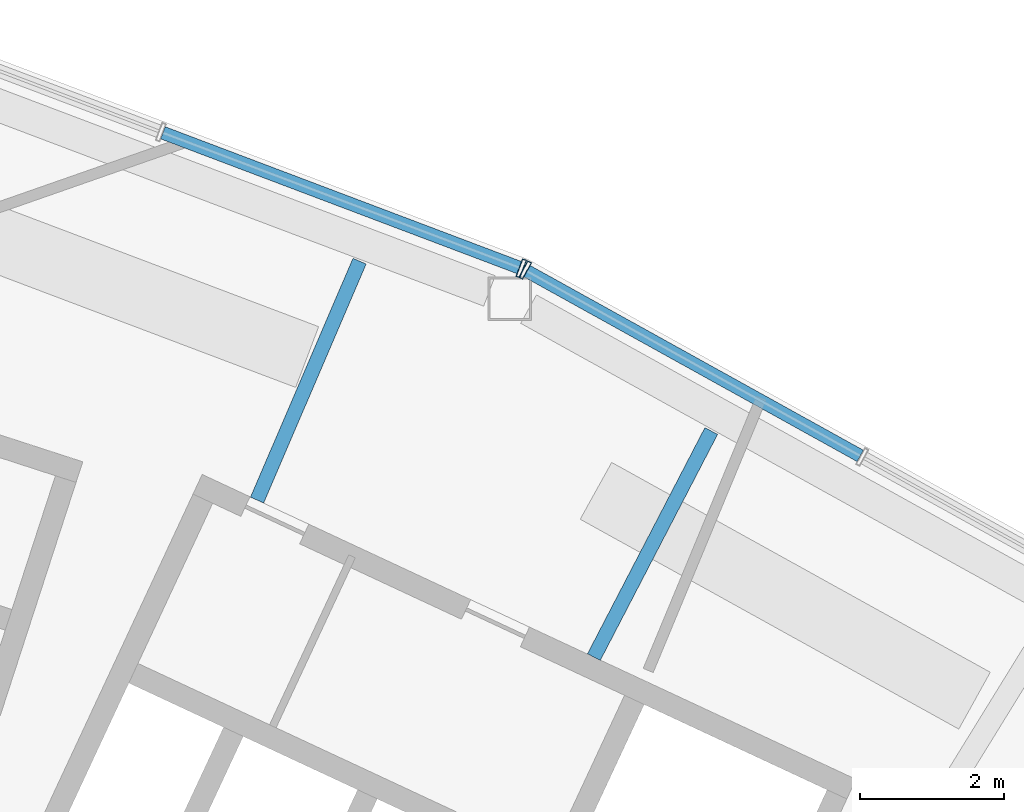
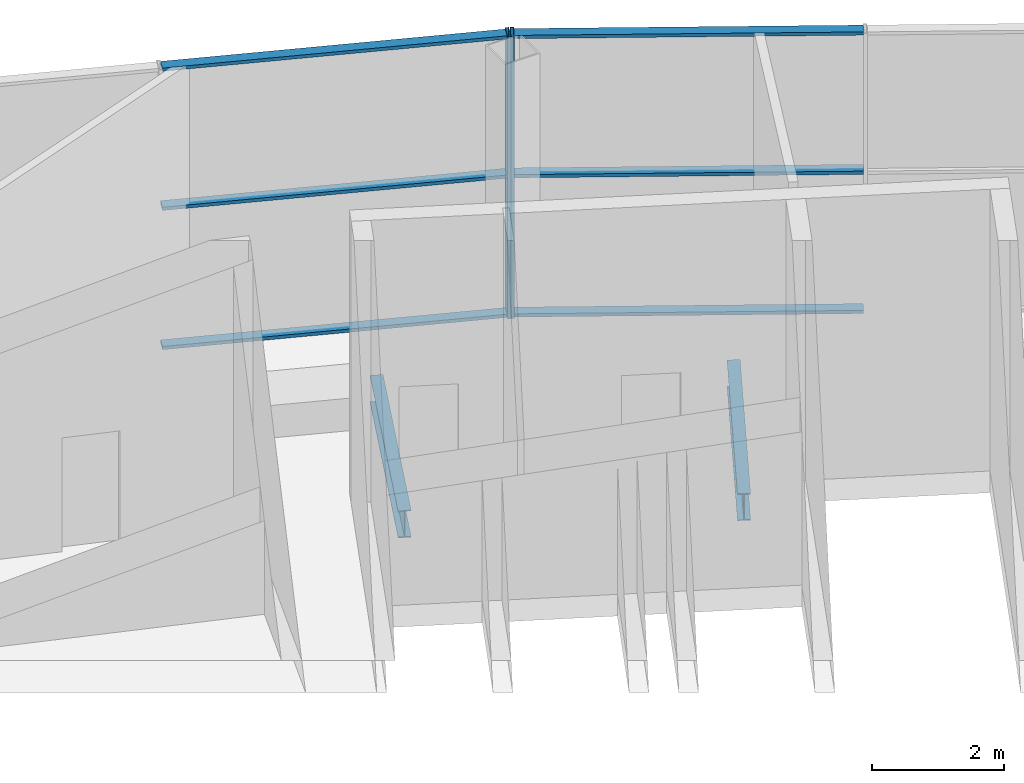
# One storey, part 31 of 44: 8 members, 2 beams, 2 elements without a shape of their own.
"""IFC4 building model written with IfcOpenShell, lengths in metres."""

from ifc_helpers import new_model, si_unit, direction, frame, origin, origin_2d, place, context, subcontext, project, spatial, hollow_rectangle, i_section, extrude, material, layer, layer_set, material_profile, profile_set, type_object, element, aggregate, save


model = new_model("IFC4")

# Units and contexts
model_context = context("Model", 3, precision=1e-05, world=origin(), true_north=direction((0.0, 1.0)))
body_context = subcontext(model_context, "Body", "Model", "MODEL_VIEW")
ifc_project = project(units=[si_unit("LENGTHUNIT", "METRE"), si_unit("AREAUNIT", "SQUARE_METRE"), si_unit("VOLUMEUNIT", "CUBIC_METRE"), si_unit("PLANEANGLEUNIT", "RADIAN"), si_unit("MASSUNIT", "GRAM", prefix="KILO")], contexts=[model_context])

# Site, building, storey
site_placement = place(None, origin())
site = spatial("IfcSite", under=ifc_project, at=site_placement, CompositionType="ELEMENT")
building_placement = place(site_placement, origin())
building = spatial("IfcBuilding", under=site, at=building_placement, Name="Tuul Gate Civic Tower", CompositionType="ELEMENT")
storey_placement = place(building_placement, frame((0.0, 0.0, 354.60009765625)))
storey = spatial("IfcBuildingStorey", under=building, at=storey_placement, Name="Observation level 2", CompositionType="ELEMENT", Elevation=354.60009765625)

# Curtain wall, member
ifc_material_1 = material(Name="Stainless steel", Category="steel")
ifc_layer = layer(ifc_material_1, 0.199951171875)
ifc_layer_set = layer_set([ifc_layer], Name="Stainless steel")
curtain_wall_type = type_object("IfcCurtainWallType", Name="Curtain wall CW4", PredefinedType="NOTDEFINED", material=ifc_layer_set)
curtain_wall_1_placement = place(storey_placement, origin())
curtain_wall_1 = element("IfcCurtainWall", 1, at=curtain_wall_1_placement, inside=storey, type_object=curtain_wall_type, Name="Curtain wall CW4", PredefinedType="NOTDEFINED")
ifc_material_2 = material(Name="Stainless steel", Category="steel")
ifc_material_profile_1 = material_profile(ifc_material_2, hollow_rectangle(XDim=0.260009765625, YDim=0.06005859375, WallThickness=0.006103515625, at=origin_2d()), Name="CW4 mullion")
ifc_profile_set_1 = profile_set([ifc_material_profile_1], Name="Stainless steel")
member_type_1 = type_object("IfcMemberType", Name="CW4 mullion", PredefinedType="MULLION", material=ifc_profile_set_1)
member_1_placement = place(storey_placement, frame((33.47119140625, 7.37646484375, 0.0), z_axis=(0.0, 0.0, 1.0), x_axis=(-0.48478912347, -0.874631068374, 0.0)))
member_1 = element("IfcMember", 2, at=member_1_placement, type_object=member_type_1, Name="Mullion", PredefinedType="MULLION", context=body_context, shape_type="SweptSolid", body=[
    extrude(hollow_rectangle(XDim=0.260009765625, YDim=0.06005859375, WallThickness=0.006103515625, at=origin_2d()), origin(), (0.0, 0.0, 1.0), 5.199951171875),
])

curtain_wall_2_placement = place(storey_placement, origin())
curtain_wall_2 = element("IfcCurtainWall", 3, at=curtain_wall_2_placement, inside=storey, type_object=curtain_wall_type, Name="Curtain wall CW4", PredefinedType="NOTDEFINED")
member_2_placement = place(storey_placement, frame((33.4169921875, 7.401611328125, 0.0), z_axis=(0.0, 0.0, 1.0), x_axis=(-0.35373363489, -0.935346200905, 0.0)))
member_2 = element("IfcMember", 4, at=member_2_placement, type_object=member_type_1, Name="Mullion", PredefinedType="MULLION", context=body_context, shape_type="SweptSolid", body=[
    extrude(hollow_rectangle(XDim=0.260009765625, YDim=0.06005859375, WallThickness=0.006103515625, at=origin_2d()), origin(), (0.0, 0.0, 1.0), 5.199951171875),
])

# Member
ifc_material_3 = material(Name="Stainless steel", Category="steel")
ifc_material_profile_2 = material_profile(ifc_material_3, hollow_rectangle(XDim=0.179931640625, YDim=0.06005859375, WallThickness=0.006103515625, at=origin_2d()), Name="CW4 transom")
ifc_profile_set_2 = profile_set([ifc_material_profile_2], Name="Stainless steel")
member_type_2 = type_object("IfcMemberType", Name="CW4 transom", PredefinedType="USERDEFINED", material=ifc_profile_set_2)
member_3_placement = place(storey_placement, frame((38.11669921875, 4.801513671875, 0.02978515625), z_axis=(-0.874630042006, 0.484790975186, 0.0), x_axis=(-0.484790975186, -0.874630042006, 0.0)))
member_3 = element("IfcMember", 5, at=member_3_placement, type_object=member_type_2, Name="Transom", ObjectType="TRANSOM", PredefinedType="USERDEFINED", context=body_context, shape_type="SweptSolid", body=[
    extrude(hollow_rectangle(XDim=0.179931640625, YDim=0.06005859375, WallThickness=0.006103515625, at=origin_2d()), origin(), (0.0, 0.0, 1.0), 5.28125),
])

member_4_placement = place(storey_placement, frame((38.11669921875, 4.801513671875, 2.599853515625), z_axis=(-0.874630042006, 0.484790975186, 0.0), x_axis=(-0.484790975186, -0.874630042006, 0.0)))
member_4 = element("IfcMember", 6, at=member_4_placement, type_object=member_type_2, Name="Transom", ObjectType="TRANSOM", PredefinedType="USERDEFINED", context=body_context, shape_type="SweptSolid", body=[
    extrude(hollow_rectangle(XDim=0.179931640625, YDim=0.06005859375, WallThickness=0.006103515625, at=origin_2d()), origin(), (0.0, 0.0, 1.0), 5.28125),
])

member_5_placement = place(storey_placement, frame((38.11669921875, 4.801513671875, 5.169921875), z_axis=(-0.874630042006, 0.484790975186, 0.0), x_axis=(-0.484790975186, -0.874630042006, 0.0)))
member_5 = element("IfcMember", 7, at=member_5_placement, type_object=member_type_2, Name="Transom", ObjectType="TRANSOM", PredefinedType="USERDEFINED", context=body_context, shape_type="SweptSolid", body=[
    extrude(hollow_rectangle(XDim=0.179931640625, YDim=0.06005859375, WallThickness=0.006103515625, at=origin_2d()), origin(), (0.0, 0.0, 1.0), 5.28125),
])

aggregate(curtain_wall_1, [member_1, member_3, member_4, member_5])

member_6_placement = place(storey_placement, frame((33.388916015625, 7.412109375, 0.02978515625), z_axis=(-0.93534909907, 0.353725971438, 0.0), x_axis=(-0.353725971438, -0.93534909907, 0.0)))
member_6 = element("IfcMember", 8, at=member_6_placement, type_object=member_type_2, Name="Transom", ObjectType="TRANSOM", PredefinedType="USERDEFINED", context=body_context, shape_type="SweptSolid", body=[
    extrude(hollow_rectangle(XDim=0.179931640625, YDim=0.06005859375, WallThickness=0.006103515625, at=origin_2d()), origin(), (0.0, 0.0, 1.0), 5.281494140625),
])

member_7_placement = place(storey_placement, frame((33.388916015625, 7.412109375, 2.599853515625), z_axis=(-0.93534909907, 0.353725971438, 0.0), x_axis=(-0.353725971438, -0.93534909907, 0.0)))
member_7 = element("IfcMember", 9, at=member_7_placement, type_object=member_type_2, Name="Transom", ObjectType="TRANSOM", PredefinedType="USERDEFINED", context=body_context, shape_type="SweptSolid", body=[
    extrude(hollow_rectangle(XDim=0.179931640625, YDim=0.06005859375, WallThickness=0.006103515625, at=origin_2d()), origin(), (0.0, 0.0, 1.0), 5.281494140625),
])

member_8_placement = place(storey_placement, frame((33.388916015625, 7.412109375, 5.169921875), z_axis=(-0.93534909907, 0.353725971438, 0.0), x_axis=(-0.353725971438, -0.93534909907, 0.0)))
member_8 = element("IfcMember", 10, at=member_8_placement, type_object=member_type_2, Name="Transom", ObjectType="TRANSOM", PredefinedType="USERDEFINED", context=body_context, shape_type="SweptSolid", body=[
    extrude(hollow_rectangle(XDim=0.179931640625, YDim=0.06005859375, WallThickness=0.006103515625, at=origin_2d()), origin(), (0.0, 0.0, 1.0), 5.281494140625),
])

aggregate(curtain_wall_2, [member_2, member_6, member_7, member_8])

# Beams
ifc_material_4 = material(Name="Steel S355", Category="steel")
ifc_material_profile_3 = material_profile(ifc_material_4, i_section(OverallWidth=0.199951171875, OverallDepth=0.5, WebThickness=0.010009765625, FlangeThickness=0.01611328125, at=origin_2d()), Name="PG500x200x10x16")
ifc_profile_set_3 = profile_set([ifc_material_profile_3], Name="Steel S355")
beam_type = type_object("IfcBeamType", Name="STR-FLOOR BEAM-PG500x200x10x16", PredefinedType="BEAM", material=ifc_profile_set_3)
beam_1_placement = place(storey_placement, frame((34.423583984375, 2.01220703125, -0.650146484375), z_axis=(0.460793282306, 0.887507493479, 0.0), x_axis=(-0.887507493479, 0.460793282306, 0.0)))
element("IfcBeam", 11, at=beam_1_placement, inside=storey, type_object=beam_type, Name="Floor beam", PredefinedType="BEAM", context=body_context, shape_type="SweptSolid", body=[
    extrude(i_section(OverallWidth=0.199951171875, OverallDepth=0.5, WebThickness=0.010009765625, FlangeThickness=0.01611328125, at=origin_2d()), origin(), (0.0, 0.0, 1.0), 3.53173828125),
])
beam_2_placement = place(storey_placement, frame((29.7548828125, 4.189208984375, -0.650146484375), z_axis=(0.394262656624, 0.918997800646, 0.0), x_axis=(-0.918997800646, 0.394262656624, 0.0)))
element("IfcBeam", 12, at=beam_2_placement, inside=storey, type_object=beam_type, Name="Floor beam", PredefinedType="BEAM", context=body_context, shape_type="SweptSolid", body=[
    extrude(i_section(OverallWidth=0.199951171875, OverallDepth=0.5, WebThickness=0.010009765625, FlangeThickness=0.01611328125, at=origin_2d()), origin(), (0.0, 0.0, 1.0), 3.60400390625),
])

save(model, "model.ifc")
